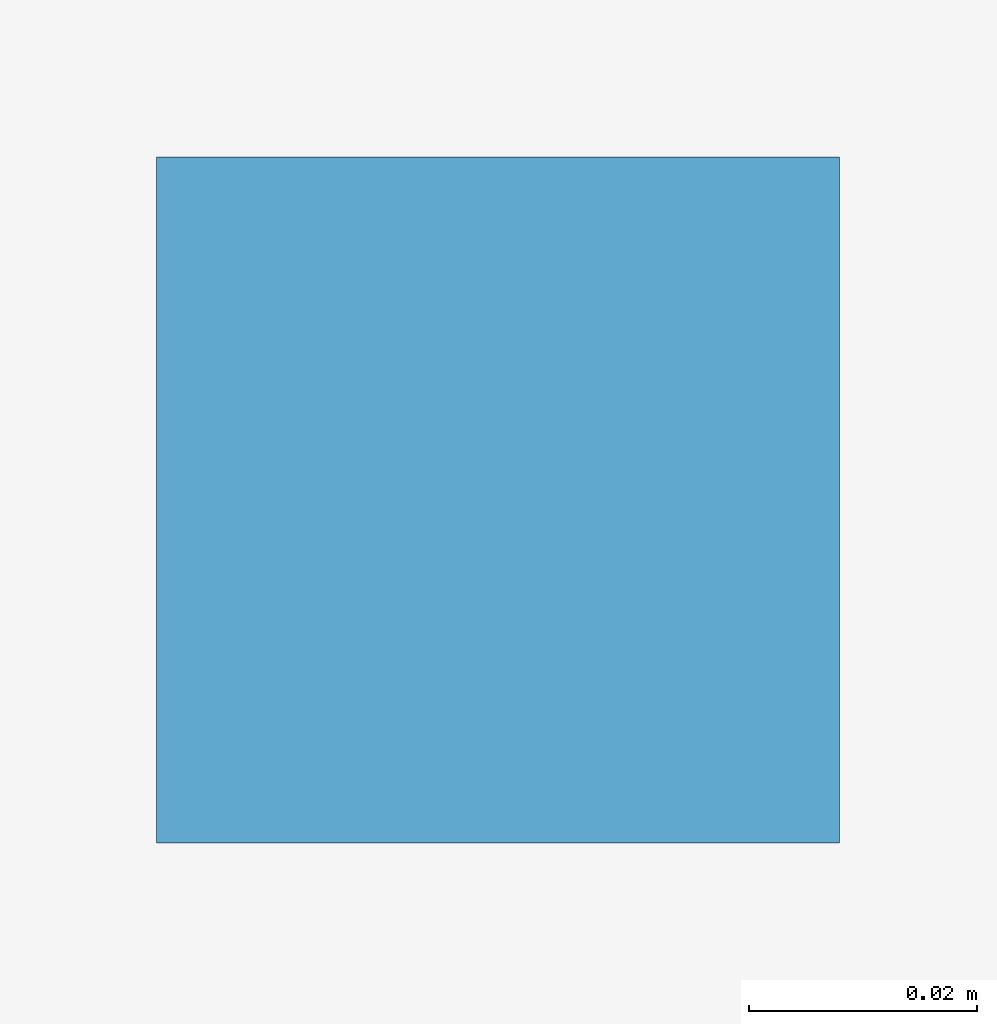
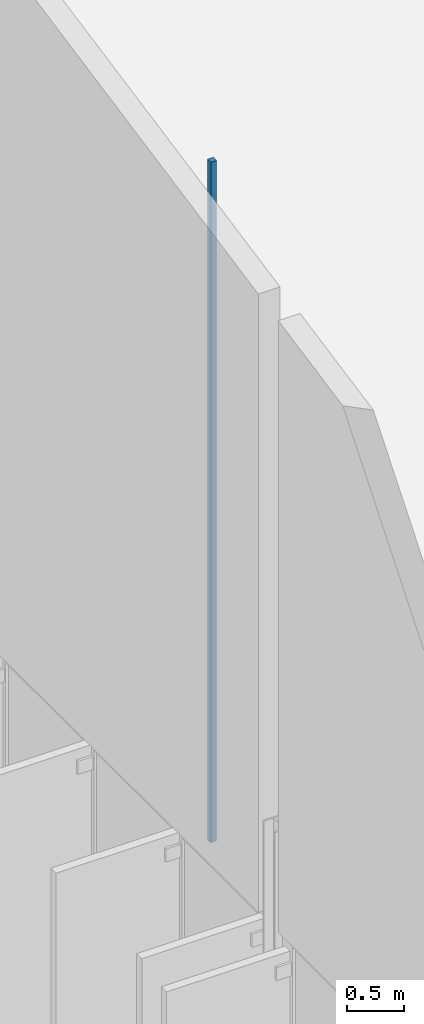
# One storey, part 76 of 93: 1 discrete accessory.
"""IFC4 building model written with IfcOpenShell, lengths in metres."""

from ifc_helpers import new_model, si_unit, direction, frame, origin, place, context, subcontext, project, spatial, polyline, outline, extrude, material, type_object, element, save


model = new_model("IFC4")

# Units and contexts
model_context = context("Model", 3, precision=1e-05, world=origin(), true_north=direction((0.0, 1.0)))
body_context = subcontext(model_context, "Body", "Model", "MODEL_VIEW")
ifc_project = project(units=[si_unit("LENGTHUNIT", "METRE"), si_unit("AREAUNIT", "SQUARE_METRE"), si_unit("VOLUMEUNIT", "CUBIC_METRE"), si_unit("PLANEANGLEUNIT", "RADIAN"), si_unit("MASSUNIT", "GRAM", prefix="KILO")], contexts=[model_context])

# Site, building, storey
site_placement = place(None, origin())
site = spatial("IfcSite", under=ifc_project, at=site_placement, CompositionType="ELEMENT")
building_placement = place(site_placement, origin())
building = spatial("IfcBuilding", under=site, at=building_placement, Name="Dunescarp Central Library", CompositionType="ELEMENT")
storey_placement = place(building_placement, frame((0.0, 0.0, 14.10009765625)))
storey = spatial("IfcBuildingStorey", under=building, at=storey_placement, Name="L03", CompositionType="ELEMENT", Elevation=14.10009765625)

# Discrete accessory
ifc_material = material(Name="Stainless steel Grade 316L", Category="steel")
discrete_accessory_type = type_object("IfcDiscreteAccessoryType", Name="ARC-ACC-BRK", PredefinedType="BRACKET", material=ifc_material)
discrete_accessory_placement = place(storey_placement, frame((0.0, 0.0, 3.059814453125)))
element("IfcDiscreteAccessory", 1, at=discrete_accessory_placement, inside=storey, type_object=discrete_accessory_type, Name="L03 ceiling hanger CLG-L03-137-H1", PredefinedType="BRACKET", context=body_context, shape_type="SweptSolid", body=[
    extrude(outline(polyline([(0.360107421875, 72.219970703125), (0.419921875, 72.219970703125), (0.419921875, 72.280029296875), (0.360107421875, 72.280029296875), (0.360107421875, 72.219970703125)])), origin(), (0.0, 0.0, 1.0), 7.256103515625),
])

save(model, "model.ifc")
